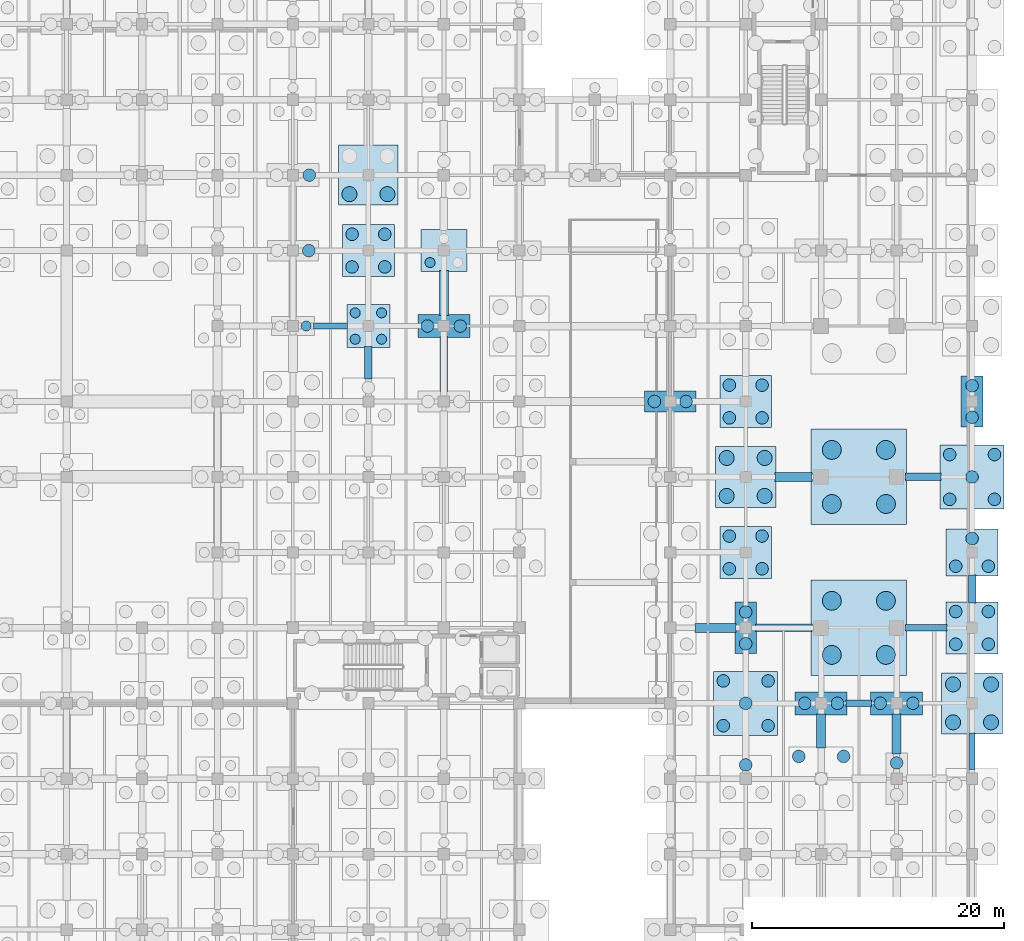
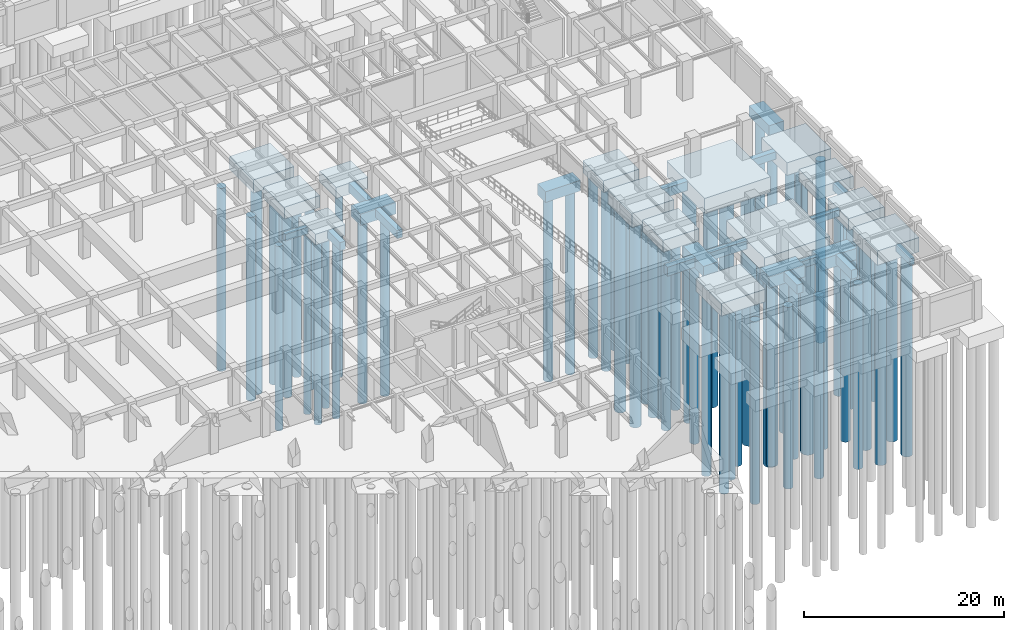
# One storey, part 19 of 54: 71 piles, 34 footings.
"""IFC4 building model written with IfcOpenShell, lengths in metres."""

from ifc_helpers import new_model, si_unit, direction, frame, origin, origin_2d, place, context, subcontext, project, spatial, rectangle, circle, extrude, material, material_profile, profile_set, type_object, element, save


model = new_model("IFC4")

# Units and contexts
model_context = context("Model", 3, precision=1e-05, world=origin(), true_north=direction((0.0, 1.0)))
body_context = subcontext(model_context, "Body", "Model", "MODEL_VIEW")
ifc_project = project(units=[si_unit("LENGTHUNIT", "METRE"), si_unit("AREAUNIT", "SQUARE_METRE"), si_unit("VOLUMEUNIT", "CUBIC_METRE"), si_unit("PLANEANGLEUNIT", "RADIAN"), si_unit("MASSUNIT", "GRAM", prefix="KILO"), si_unit("THERMODYNAMICTEMPERATUREUNIT", "KELVIN"), si_unit("POWERUNIT", "WATT")], contexts=[model_context])

# Site, building, storey
site_placement = place(None, origin())
site = spatial("IfcSite", under=ifc_project, at=site_placement, CompositionType="ELEMENT")
building_placement = place(site_placement, origin())
building = spatial("IfcBuilding", under=site, at=building_placement, Name="Phaisarnlok Congress Hotel", CompositionType="ELEMENT")
storey_placement = place(building_placement, frame((0.0, 0.0, -4.800048828125)))
storey = spatial("IfcBuildingStorey", under=building, at=storey_placement, Name="B01", CompositionType="ELEMENT", Elevation=-4.800048828125)

# Footings
ifc_material_1 = material(Name="Concrete C40/50", Category="concrete")
footing_type_1 = type_object("IfcFootingType", Name="CAP-2P-B", PredefinedType="PILE_CAP", material=ifc_material_1)
footing_1_placement = place(storey_placement, frame((156.0, 60.0, -1.7998046875), z_axis=(0.0, 0.0, 1.0), x_axis=(1.0, 0.0, 0.0)))
element("IfcFooting", 1, at=footing_1_placement, inside=storey, type_object=footing_type_1, Name="Pile cap PC-02 at (156,60)", PredefinedType="PILE_CAP", context=body_context, shape_type="SweptSolid", body=[
    extrude(rectangle(XDim=4.080078125, YDim=1.639892578125, at=origin_2d()), origin(), (0.0, 0.0, 1.0), 1.300048828125),
])
footing_type_2 = type_object("IfcFootingType", Name="CAP-2P-C", PredefinedType="PILE_CAP", material=ifc_material_1)
for number, where, z_axis, x_axis, name in (
    (2, (138.0, 66.0, -1.89990234375), (0.0, 0.0, 1.0), (1.0, 0.0, 0.0), "Pile cap PC-03 at (138,66)"),
    (3, (168.0, 36.0, -1.89990234375), (0.0, 0.0, 1.0), (1.0, 0.0, 0.0), "Pile cap PC-03 at (168,36)"),
    (4, (174.0, 36.0, -1.89990234375), (0.0, 0.0, 1.0), (1.0, 0.0, 0.0), "Pile cap PC-03 at (174,36)"),
):
    element("IfcFooting", number, at=place(storey_placement, frame(where, z_axis=z_axis, x_axis=x_axis)), inside=storey, type_object=footing_type_2, Name=name, PredefinedType="PILE_CAP", context=body_context, shape_type="SweptSolid", body=[
        extrude(rectangle(XDim=4.1201171875, YDim=1.840087890625, at=origin_2d()), origin(), (0.0, 0.0, 1.0), 1.39990234375),
    ])
footing_type_3 = type_object("IfcFootingType", Name="CAP-2P-D", PredefinedType="PILE_CAP", material=ifc_material_1)
for number, where, z_axis, x_axis, name in (
    (5, (162.0, 42.0, -1.75), (0.0, 0.0, 1.0), (1.0, 0.0, 0.0), "Pile cap PC-14 at (162,42)"),
    (6, (180.0, 60.0, -1.75), (0.0, 0.0, 1.0), (1.0, 0.0, 0.0), "Pile cap PC-14 at (180,60)"),
):
    element("IfcFooting", number, at=place(storey_placement, frame(where, z_axis=z_axis, x_axis=x_axis)), inside=storey, type_object=footing_type_3, Name=name, PredefinedType="PILE_CAP", context=body_context, shape_type="SweptSolid", body=[
        extrude(rectangle(XDim=1.719970703125, YDim=4.080078125, at=origin_2d()), origin(), (0.0, 0.0, 1.0), 1.25),
    ])
footing_type_4 = type_object("IfcFootingType", Name="CAP-3P-A", PredefinedType="PILE_CAP", material=ifc_material_1)
footing_2_placement = place(storey_placement, frame((138.0, 72.0, -1.85009765625), z_axis=(0.0, 0.0, 1.0), x_axis=(1.0, 0.0, 0.0)))
element("IfcFooting", 7, at=footing_2_placement, inside=storey, type_object=footing_type_4, Name="Pile cap PC-04 at (138,72)", PredefinedType="PILE_CAP", context=body_context, shape_type="SweptSolid", body=[
    extrude(rectangle(XDim=3.639892578125, YDim=3.340087890625, at=origin_2d()), origin(), (0.0, 0.0, 1.0), 1.35009765625),
])
footing_type_5 = type_object("IfcFootingType", Name="CAP-3P-B", PredefinedType="PILE_CAP", material=ifc_material_1)
footing_3_placement = place(storey_placement, frame((180.0, 48.0, -1.94970703125), z_axis=(0.0, 0.0, 1.0), x_axis=(1.0, 0.0, 0.0)))
element("IfcFooting", 8, at=footing_3_placement, inside=storey, type_object=footing_type_5, Name="Pile cap PC-05 at (180,48)", PredefinedType="PILE_CAP", context=body_context, shape_type="SweptSolid", body=[
    extrude(rectangle(XDim=4.1201171875, YDim=3.739990234375, at=origin_2d()), origin(), (0.0, 0.0, 1.0), 1.449951171875),
])
footing_type_6 = type_object("IfcFootingType", Name="CAP-4P-A", PredefinedType="PILE_CAP", material=ifc_material_1)
footing_4_placement = place(storey_placement, frame((132.0, 66.0, -1.7998046875), z_axis=(0.0, 0.0, 1.0), x_axis=(1.0, 0.0, 0.0)))
element("IfcFooting", 9, at=footing_4_placement, inside=storey, type_object=footing_type_6, Name="Pile cap PC-06 at (132,66)", PredefinedType="PILE_CAP", context=body_context, shape_type="SweptSolid", body=[
    extrude(rectangle(XDim=3.43994140625, YDim=3.43994140625, at=origin_2d()), origin(), (0.0, 0.0, 1.0), 1.300048828125),
])
footing_type_7 = type_object("IfcFootingType", Name="CAP-4P-B", PredefinedType="PILE_CAP", material=ifc_material_1)
for number, where, z_axis, x_axis, name in (
    (10, (132.0, 72.0, -1.94970703125), (0.0, 0.0, 1.0), (1.0, 0.0, 0.0), "Pile cap PC-07 at (132,72)"),
    (11, (162.0, 48.0, -1.94970703125), (0.0, 0.0, 1.0), (1.0, 0.0, 0.0), "Pile cap PC-07 at (162,48)"),
    (12, (162.0, 60.0, -1.94970703125), (0.0, 0.0, 1.0), (1.0, 0.0, 0.0), "Pile cap PC-07 at (162,60)"),
    (13, (180.0, 42.0, -1.94970703125), (0.0, 0.0, 1.0), (1.0, 0.0, 0.0), "Pile cap PC-07 at (180,42)"),
):
    element("IfcFooting", number, at=place(storey_placement, frame(where, z_axis=z_axis, x_axis=x_axis)), inside=storey, type_object=footing_type_7, Name=name, PredefinedType="PILE_CAP", context=body_context, shape_type="SweptSolid", body=[
        extrude(rectangle(XDim=4.1201171875, YDim=4.1201171875, at=origin_2d()), origin(), (0.0, 0.0, 1.0), 1.449951171875),
    ])
footing_type_8 = type_object("IfcFootingType", Name="CAP-4P-C", PredefinedType="PILE_CAP", material=ifc_material_1)
footing_5_placement = place(storey_placement, frame((132.0, 78.0, -2.10009765625), z_axis=(0.0, 0.0, 1.0), x_axis=(1.0, 0.0, 0.0)))
element("IfcFooting", 14, at=footing_5_placement, inside=storey, type_object=footing_type_8, Name="Pile cap PC-08 at (132,78)", PredefinedType="PILE_CAP", context=body_context, shape_type="SweptSolid", body=[
    extrude(rectangle(XDim=4.719970703125, YDim=4.760009765625, at=origin_2d()), origin(), (0.0, 0.0, 1.0), 1.60009765625),
])
footing_type_9 = type_object("IfcFootingType", Name="CAP-4P-D", PredefinedType="PILE_CAP", material=ifc_material_1)
for number, where, z_axis, x_axis, name in (
    (15, (162.0, 54.0, -2.25), (0.0, 0.0, 1.0), (1.0, 0.0, 0.0), "Pile cap PC-09 at (162,54)"),
    (16, (180.0, 36.0, -2.25), (0.0, 0.0, 1.0), (1.0, 0.0, 0.0), "Pile cap PC-09 at (180,36)"),
):
    element("IfcFooting", number, at=place(storey_placement, frame(where, z_axis=z_axis, x_axis=x_axis)), inside=storey, type_object=footing_type_9, Name=name, PredefinedType="PILE_CAP", context=body_context, shape_type="SweptSolid", body=[
        extrude(rectangle(XDim=4.840087890625, YDim=4.840087890625, at=origin_2d()), origin(), (0.0, 0.0, 1.0), 1.75),
    ])
footing_type_10 = type_object("IfcFootingType", Name="CAP-4P-E", PredefinedType="PILE_CAP", material=ifc_material_1)
for number, where, z_axis, x_axis, name in (
    (17, (171.0, 42.0, -2.39990234375), (0.0, 0.0, 1.0), (1.0, 0.0, 0.0), "Combined pile cap PC-10 at (171,42)"),
    (18, (171.0, 54.0, -2.39990234375), (0.0, 0.0, 1.0), (1.0, 0.0, 0.0), "Combined pile cap PC-10 at (171,54)"),
):
    element("IfcFooting", number, at=place(storey_placement, frame(where, z_axis=z_axis, x_axis=x_axis)), inside=storey, type_object=footing_type_10, Name=name, PredefinedType="PILE_CAP", context=body_context, shape_type="SweptSolid", body=[
        extrude(rectangle(XDim=7.60009765625, YDim=7.60009765625, at=origin_2d()), origin(), (0.0, 0.0, 1.0), 1.89990234375),
    ])
footing_type_11 = type_object("IfcFootingType", Name="CAP-5P-A", PredefinedType="PILE_CAP", material=ifc_material_1)
for number, where, z_axis, x_axis, name in (
    (19, (162.0, 36.0, -2.0498046875), (0.0, 0.0, 1.0), (1.0, 0.0, 0.0), "Pile cap PC-13 at (162,36)"),
    (20, (180.0, 54.0, -2.0498046875), (0.0, 0.0, 1.0), (1.0, 0.0, 0.0), "Pile cap PC-13 at (180,54)"),
):
    element("IfcFooting", number, at=place(storey_placement, frame(where, z_axis=z_axis, x_axis=x_axis)), inside=storey, type_object=footing_type_11, Name=name, PredefinedType="PILE_CAP", context=body_context, shape_type="SweptSolid", body=[
        extrude(rectangle(XDim=5.080078125, YDim=5.080078125, at=origin_2d()), origin(), (0.0, 0.0, 1.0), 1.550048828125),
    ])
ifc_material_profile_1 = material_profile(ifc_material_1, rectangle(XDim=0.5, YDim=0.800048828125, at=origin_2d()), Name="FB-500x800")
ifc_profile_set_1 = profile_set([ifc_material_profile_1], Name="Concrete C40/50")
footing_type_12 = type_object("IfcFootingType", Name="FB-500x800", PredefinedType="FOOTING_BEAM", material=ifc_profile_set_1)
footing_6_placement = place(storey_placement, frame((127.64501953125, 66.0, -0.89990234375), z_axis=(1.0, 0.0, 0.0), x_axis=(0.0, 1.0, 0.0)))
element("IfcFooting", 21, at=footing_6_placement, inside=storey, type_object=footing_type_12, Name="Ground tie beam FB-01", PredefinedType="FOOTING_BEAM", context=body_context, shape_type="SweptSolid", body=[
    extrude(rectangle(XDim=0.5, YDim=0.800048828125, at=origin_2d()), origin(), (0.0, 0.0, 1.0), 2.7099609375),
])
footing_7_placement = place(storey_placement, frame((169.985107421875, 36.0, -0.89990234375), z_axis=(1.0, 0.0, 0.0), x_axis=(0.0, 1.0, 0.0)))
element("IfcFooting", 22, at=footing_7_placement, inside=storey, type_object=footing_type_12, Name="Ground tie beam FB-01", PredefinedType="FOOTING_BEAM", context=body_context, shape_type="SweptSolid", body=[
    extrude(rectangle(XDim=0.5, YDim=0.800048828125, at=origin_2d()), origin(), (0.0, 0.0, 1.0), 2.02978515625),
])
footing_8_placement = place(storey_placement, frame((174.72509765625, 42.0, -0.89990234375), z_axis=(1.0, 0.0, 0.0), x_axis=(0.0, 1.0, 0.0)))
element("IfcFooting", 23, at=footing_8_placement, inside=storey, type_object=footing_type_12, Name="Ground tie beam FB-01", PredefinedType="FOOTING_BEAM", context=body_context, shape_type="SweptSolid", body=[
    extrude(rectangle(XDim=0.5, YDim=0.800048828125, at=origin_2d()), origin(), (0.0, 0.0, 1.0), 3.289794921875),
])
footing_9_placement = place(storey_placement, frame((180.0, 30.7451171875, -0.89990234375), z_axis=(0.0, 1.0, 0.0), x_axis=(-1.0, 0.0, 0.0)))
element("IfcFooting", 24, at=footing_9_placement, inside=storey, type_object=footing_type_12, Name="Ground tie beam FB-01", PredefinedType="FOOTING_BEAM", context=body_context, shape_type="SweptSolid", body=[
    extrude(rectangle(XDim=0.5, YDim=0.800048828125, at=origin_2d()), origin(), (0.0, 0.0, 1.0), 2.909912109375),
])
ifc_material_profile_2 = material_profile(ifc_material_1, rectangle(XDim=0.60009765625, YDim=1.0, at=origin_2d()), Name="FB-600x1000")
ifc_profile_set_2 = profile_set([ifc_material_profile_2], Name="Concrete C40/50")
footing_type_13 = type_object("IfcFootingType", Name="FB-600x1000", PredefinedType="FOOTING_BEAM", material=ifc_profile_set_2)
footing_10_placement = place(storey_placement, frame((132.0, 61.794921875, -1.0), z_axis=(0.0, 1.0, 0.0), x_axis=(-1.0, 0.0, 0.0)))
element("IfcFooting", 25, at=footing_10_placement, inside=storey, type_object=footing_type_13, Name="Ground tie beam FB-03", PredefinedType="FOOTING_BEAM", context=body_context, shape_type="SweptSolid", body=[
    extrude(rectangle(XDim=0.60009765625, YDim=1.0, at=origin_2d()), origin(), (0.0, 0.0, 1.0), 2.56005859375),
])
footing_11_placement = place(storey_placement, frame((138.0, 60.7451171875, -1.0), z_axis=(0.0, 1.0, 0.0), x_axis=(-1.0, 0.0, 0.0)))
element("IfcFooting", 26, at=footing_11_placement, inside=storey, type_object=footing_type_13, Name="Ground tie beam FB-03", PredefinedType="FOOTING_BEAM", context=body_context, shape_type="SweptSolid", body=[
    extrude(rectangle(XDim=0.60009765625, YDim=1.0, at=origin_2d()), origin(), (0.0, 0.0, 1.0), 4.409912109375),
])
footing_12_placement = place(storey_placement, frame((162.784912109375, 42.0, -1.0), z_axis=(1.0, 0.0, 0.0), x_axis=(0.0, 1.0, 0.0)))
element("IfcFooting", 27, at=footing_12_placement, inside=storey, type_object=footing_type_13, Name="Ground tie beam FB-03", PredefinedType="FOOTING_BEAM", context=body_context, shape_type="SweptSolid", body=[
    extrude(rectangle(XDim=0.60009765625, YDim=1.0, at=origin_2d()), origin(), (0.0, 0.0, 1.0), 4.489990234375),
])
ifc_material_profile_3 = material_profile(ifc_material_1, rectangle(XDim=0.60009765625, YDim=0.89990234375, at=origin_2d()), Name="FB-600x900")
ifc_profile_set_3 = profile_set([ifc_material_profile_3], Name="Concrete C40/50")
footing_type_14 = type_object("IfcFootingType", Name="FB-600x900", PredefinedType="FOOTING_BEAM", material=ifc_profile_set_3)
footing_13_placement = place(storey_placement, frame((174.72509765625, 54.0, -0.949951171875), z_axis=(1.0, 0.0, 0.0), x_axis=(0.0, 1.0, 0.0)))
element("IfcFooting", 28, at=footing_13_placement, inside=storey, type_object=footing_type_14, Name="Ground tie beam FB-02", PredefinedType="FOOTING_BEAM", context=body_context, shape_type="SweptSolid", body=[
    extrude(rectangle(XDim=0.60009765625, YDim=0.89990234375, at=origin_2d()), origin(), (0.0, 0.0, 1.0), 2.809814453125),
])
footing_14_placement = place(storey_placement, frame((180.0, 43.985107421875, -0.949951171875), z_axis=(0.0, 1.0, 0.0), x_axis=(-1.0, 0.0, 0.0)))
element("IfcFooting", 29, at=footing_14_placement, inside=storey, type_object=footing_type_14, Name="Ground tie beam FB-02", PredefinedType="FOOTING_BEAM", context=body_context, shape_type="SweptSolid", body=[
    extrude(rectangle(XDim=0.60009765625, YDim=0.89990234375, at=origin_2d()), origin(), (0.0, 0.0, 1.0), 2.219970703125),
])
ifc_material_profile_4 = material_profile(ifc_material_1, rectangle(XDim=0.699951171875, YDim=1.10009765625, at=origin_2d()), Name="FB-700x1100")
ifc_profile_set_4 = profile_set([ifc_material_profile_4], Name="Concrete C40/50")
footing_type_15 = type_object("IfcFootingType", Name="FB-700x1100", PredefinedType="FOOTING_BEAM", material=ifc_profile_set_4)
footing_15_placement = place(storey_placement, frame((138.0, 66.844970703125, -1.050048828125), z_axis=(0.0, 1.0, 0.0), x_axis=(-1.0, 0.0, 0.0)))
element("IfcFooting", 30, at=footing_15_placement, inside=storey, type_object=footing_type_15, Name="Ground tie beam FB-04", PredefinedType="FOOTING_BEAM", context=body_context, shape_type="SweptSolid", body=[
    extrude(rectangle(XDim=0.699951171875, YDim=1.10009765625, at=origin_2d()), origin(), (0.0, 0.0, 1.0), 3.56005859375),
])
footing_16_placement = place(storey_placement, frame((157.985107421875, 42.0, -1.050048828125), z_axis=(1.0, 0.0, 0.0), x_axis=(0.0, 1.0, 0.0)))
element("IfcFooting", 31, at=footing_16_placement, inside=storey, type_object=footing_type_15, Name="Ground tie beam FB-04", PredefinedType="FOOTING_BEAM", context=body_context, shape_type="SweptSolid", body=[
    extrude(rectangle(XDim=0.699951171875, YDim=1.10009765625, at=origin_2d()), origin(), (0.0, 0.0, 1.0), 3.22998046875),
])
footing_17_placement = place(storey_placement, frame((164.344970703125, 54.0, -1.050048828125), z_axis=(1.0, 0.0, 0.0), x_axis=(0.0, 1.0, 0.0)))
element("IfcFooting", 32, at=footing_17_placement, inside=storey, type_object=footing_type_15, Name="Ground tie beam FB-04", PredefinedType="FOOTING_BEAM", context=body_context, shape_type="SweptSolid", body=[
    extrude(rectangle(XDim=0.699951171875, YDim=1.10009765625, at=origin_2d()), origin(), (0.0, 0.0, 1.0), 2.929931640625),
])
footing_18_placement = place(storey_placement, frame((168.0, 32.465087890625, -1.050048828125), z_axis=(0.0, 1.0, 0.0), x_axis=(-1.0, 0.0, 0.0)))
element("IfcFooting", 33, at=footing_18_placement, inside=storey, type_object=footing_type_15, Name="Ground tie beam FB-04", PredefinedType="FOOTING_BEAM", context=body_context, shape_type="SweptSolid", body=[
    extrude(rectangle(XDim=0.699951171875, YDim=1.10009765625, at=origin_2d()), origin(), (0.0, 0.0, 1.0), 2.68994140625),
])
footing_19_placement = place(storey_placement, frame((174.0, 31.965087890625, -1.050048828125), z_axis=(0.0, 1.0, 0.0), x_axis=(-1.0, 0.0, 0.0)))
element("IfcFooting", 34, at=footing_19_placement, inside=storey, type_object=footing_type_15, Name="Ground tie beam FB-04", PredefinedType="FOOTING_BEAM", context=body_context, shape_type="SweptSolid", body=[
    extrude(rectangle(XDim=0.699951171875, YDim=1.10009765625, at=origin_2d()), origin(), (0.0, 0.0, 1.0), 3.18994140625),
])

# Piles
ifc_material_2 = material(Name="Concrete C35/45", Category="concrete")
ifc_material_profile_5 = material_profile(ifc_material_2, circle(Radius=0.5, at=origin_2d()), Name="BORED PILE D1000")
ifc_profile_set_5 = profile_set([ifc_material_profile_5], Name="Concrete C35/45")
pile_type_1 = type_object("IfcPileType", Name="PILE-D1000", PredefinedType="BORED", material=ifc_profile_set_5)
pile_1_placement = place(storey_placement, frame((127.260009765625, 72.0, -1.699951171875), z_axis=(0.0, 0.0, -1.0), x_axis=(1.0, 0.0, 0.0)))
element("IfcPile", 35, at=pile_1_placement, inside=storey, type_object=pile_type_1, Name="Bored pile PL-02 (FTG-B01-126-072-2)", PredefinedType="BORED", context=body_context, shape_type="SweptSolid", body=[
    extrude(circle(Radius=0.5, at=origin_2d()), origin(), (0.0, 0.0, 1.0), 22.5),
])
pile_2_placement = place(storey_placement, frame((127.300048828125, 78.0, -1.800048828125), z_axis=(0.0, 0.0, -1.0), x_axis=(1.0, 0.0, 0.0)))
element("IfcPile", 36, at=pile_2_placement, inside=storey, type_object=pile_type_1, Name="Bored pile PL-02 (FTG-B01-126-078-2)", PredefinedType="BORED", context=body_context, shape_type="SweptSolid", body=[
    extrude(circle(Radius=0.5, at=origin_2d()), origin(), (0.0, 0.0, 1.0), 22.39990234375),
])
for number, where, z_axis, x_axis, name in (
    (37, (130.699951171875, 70.699951171875, -1.849853515625), (0.0, 0.0, -1.0), (1.0, 0.0, 0.0), "Bored pile PL-02 (FTG-B01-132-072-1)"),
    (38, (133.300048828125, 70.699951171875, -1.849853515625), (0.0, 0.0, -1.0), (1.0, 0.0, 0.0), "Bored pile PL-02 (FTG-B01-132-072-2)"),
    (39, (130.699951171875, 73.300048828125, -1.849853515625), (0.0, 0.0, -1.0), (1.0, 0.0, 0.0), "Bored pile PL-02 (FTG-B01-132-072-3)"),
    (40, (133.300048828125, 73.300048828125, -1.849853515625), (0.0, 0.0, -1.0), (1.0, 0.0, 0.0), "Bored pile PL-02 (FTG-B01-132-072-4)"),
):
    element("IfcPile", number, at=place(storey_placement, frame(where, z_axis=z_axis, x_axis=x_axis)), inside=storey, type_object=pile_type_1, Name=name, PredefinedType="BORED", context=body_context, shape_type="SweptSolid", body=[
        extrude(circle(Radius=0.5, at=origin_2d()), origin(), (0.0, 0.0, 1.0), 22.35009765625),
    ])
for number, where, z_axis, x_axis, name in (
    (41, (136.699951171875, 66.0, -1.800048828125), (0.0, 0.0, -1.0), (1.0, 0.0, 0.0), "Bored pile PL-02 (FTG-B01-138-066-1)"),
    (42, (139.300048828125, 66.0, -1.800048828125), (0.0, 0.0, -1.0), (1.0, 0.0, 0.0), "Bored pile PL-02 (FTG-B01-138-066-2)"),
):
    element("IfcPile", number, at=place(storey_placement, frame(where, z_axis=z_axis, x_axis=x_axis)), inside=storey, type_object=pile_type_1, Name=name, PredefinedType="BORED", context=body_context, shape_type="SweptSolid", body=[
        extrude(circle(Radius=0.5, at=origin_2d()), origin(), (0.0, 0.0, 1.0), 22.39990234375),
    ])
for number, where, z_axis, x_axis, name in (
    (43, (154.739990234375, 60.0, -1.699951171875), (0.0, 0.0, -1.0), (1.0, 0.0, 0.0), "Bored pile PL-02 (FTG-B01-156-060-1)"),
    (44, (157.260009765625, 60.0, -1.699951171875), (0.0, 0.0, -1.0), (1.0, 0.0, 0.0), "Bored pile PL-02 (FTG-B01-156-060-2)"),
):
    element("IfcPile", number, at=place(storey_placement, frame(where, z_axis=z_axis, x_axis=x_axis)), inside=storey, type_object=pile_type_1, Name=name, PredefinedType="BORED", context=body_context, shape_type="SweptSolid", body=[
        extrude(circle(Radius=0.5, at=origin_2d()), origin(), (0.0, 0.0, 1.0), 22.5),
    ])
pile_3_placement = place(storey_placement, frame((162.0, 31.10009765625, -1.849853515625), z_axis=(0.0, 0.0, -1.0), x_axis=(1.0, 0.0, 0.0)))
element("IfcPile", 45, at=pile_3_placement, inside=storey, type_object=pile_type_1, Name="Bored pile PL-02 (FTG-B01-162-030-3)", PredefinedType="BORED", context=body_context, shape_type="SweptSolid", body=[
    extrude(circle(Radius=0.5, at=origin_2d()), origin(), (0.0, 0.0, 1.0), 22.35009765625),
])
for number, where, z_axis, x_axis, name in (
    (46, (160.219970703125, 34.219970703125, -1.949951171875), (0.0, 0.0, -1.0), (1.0, 0.0, 0.0), "Bored pile PL-02 (FTG-B01-162-036-1)"),
    (47, (163.780029296875, 34.219970703125, -1.949951171875), (0.0, 0.0, -1.0), (1.0, 0.0, 0.0), "Bored pile PL-02 (FTG-B01-162-036-2)"),
    (48, (162.0, 36.0, -1.949951171875), (0.0, 0.0, -1.0), (1.0, 0.0, 0.0), "Bored pile PL-02 (FTG-B01-162-036-3)"),
    (49, (160.219970703125, 37.780029296875, -1.949951171875), (0.0, 0.0, -1.0), (1.0, 0.0, 0.0), "Bored pile PL-02 (FTG-B01-162-036-4)"),
    (50, (163.780029296875, 37.780029296875, -1.949951171875), (0.0, 0.0, -1.0), (1.0, 0.0, 0.0), "Bored pile PL-02 (FTG-B01-162-036-5)"),
):
    element("IfcPile", number, at=place(storey_placement, frame(where, z_axis=z_axis, x_axis=x_axis)), inside=storey, type_object=pile_type_1, Name=name, PredefinedType="BORED", context=body_context, shape_type="SweptSolid", body=[
        extrude(circle(Radius=0.5, at=origin_2d()), origin(), (0.0, 0.0, 1.0), 22.25),
    ])
for number, where, z_axis, x_axis, name in (
    (51, (162.0, 40.739990234375, -1.64990234375), (0.0, 0.0, -1.0), (1.0, 0.0, 0.0), "Bored pile PL-02 (FTG-B01-162-042-1)"),
    (52, (162.0, 43.260009765625, -1.64990234375), (0.0, 0.0, -1.0), (1.0, 0.0, 0.0), "Bored pile PL-02 (FTG-B01-162-042-2)"),
):
    element("IfcPile", number, at=place(storey_placement, frame(where, z_axis=z_axis, x_axis=x_axis)), inside=storey, type_object=pile_type_1, Name=name, PredefinedType="BORED", context=body_context, shape_type="SweptSolid", body=[
        extrude(circle(Radius=0.5, at=origin_2d()), origin(), (0.0, 0.0, 1.0), 22.550048828125),
    ])
for number, where, z_axis, x_axis, name in (
    (53, (160.699951171875, 46.699951171875, -1.849853515625), (0.0, 0.0, -1.0), (1.0, 0.0, 0.0), "Bored pile PL-02 (FTG-B01-162-048-1)"),
    (54, (163.300048828125, 46.699951171875, -1.849853515625), (0.0, 0.0, -1.0), (1.0, 0.0, 0.0), "Bored pile PL-02 (FTG-B01-162-048-2)"),
    (55, (160.699951171875, 49.300048828125, -1.849853515625), (0.0, 0.0, -1.0), (1.0, 0.0, 0.0), "Bored pile PL-02 (FTG-B01-162-048-3)"),
    (56, (163.300048828125, 49.300048828125, -1.849853515625), (0.0, 0.0, -1.0), (1.0, 0.0, 0.0), "Bored pile PL-02 (FTG-B01-162-048-4)"),
    (57, (160.699951171875, 58.699951171875, -1.849853515625), (0.0, 0.0, -1.0), (1.0, 0.0, 0.0), "Bored pile PL-02 (FTG-B01-162-060-1)"),
    (58, (163.300048828125, 58.699951171875, -1.849853515625), (0.0, 0.0, -1.0), (1.0, 0.0, 0.0), "Bored pile PL-02 (FTG-B01-162-060-2)"),
    (59, (160.699951171875, 61.300048828125, -1.849853515625), (0.0, 0.0, -1.0), (1.0, 0.0, 0.0), "Bored pile PL-02 (FTG-B01-162-060-3)"),
    (60, (163.300048828125, 61.300048828125, -1.849853515625), (0.0, 0.0, -1.0), (1.0, 0.0, 0.0), "Bored pile PL-02 (FTG-B01-162-060-4)"),
):
    element("IfcPile", number, at=place(storey_placement, frame(where, z_axis=z_axis, x_axis=x_axis)), inside=storey, type_object=pile_type_1, Name=name, PredefinedType="BORED", context=body_context, shape_type="SweptSolid", body=[
        extrude(circle(Radius=0.5, at=origin_2d()), origin(), (0.0, 0.0, 1.0), 22.35009765625),
    ])
for number, where, z_axis, x_axis, name in (
    (61, (166.219970703125, 31.780029296875, -1.949951171875), (0.0, 0.0, -1.0), (1.0, 0.0, 0.0), "Bored pile PL-02 (FTG-B01-168-030-4)"),
    (62, (169.780029296875, 31.780029296875, -1.949951171875), (0.0, 0.0, -1.0), (1.0, 0.0, 0.0), "Bored pile PL-02 (FTG-B01-168-030-5)"),
):
    element("IfcPile", number, at=place(storey_placement, frame(where, z_axis=z_axis, x_axis=x_axis)), inside=storey, type_object=pile_type_1, Name=name, PredefinedType="BORED", context=body_context, shape_type="SweptSolid", body=[
        extrude(circle(Radius=0.5, at=origin_2d()), origin(), (0.0, 0.0, 1.0), 22.25),
    ])
for number, where, z_axis, x_axis, name in (
    (63, (166.699951171875, 36.0, -1.800048828125), (0.0, 0.0, -1.0), (1.0, 0.0, 0.0), "Bored pile PL-02 (FTG-B01-168-036-1)"),
    (64, (169.300048828125, 36.0, -1.800048828125), (0.0, 0.0, -1.0), (1.0, 0.0, 0.0), "Bored pile PL-02 (FTG-B01-168-036-2)"),
):
    element("IfcPile", number, at=place(storey_placement, frame(where, z_axis=z_axis, x_axis=x_axis)), inside=storey, type_object=pile_type_1, Name=name, PredefinedType="BORED", context=body_context, shape_type="SweptSolid", body=[
        extrude(circle(Radius=0.5, at=origin_2d()), origin(), (0.0, 0.0, 1.0), 22.39990234375),
    ])
pile_4_placement = place(storey_placement, frame((174.0, 31.260009765625, -1.64990234375), z_axis=(0.0, 0.0, -1.0), x_axis=(1.0, 0.0, 0.0)))
element("IfcPile", 65, at=pile_4_placement, inside=storey, type_object=pile_type_1, Name="Bored pile PL-02 (FTG-B01-174-030-2)", PredefinedType="BORED", context=body_context, shape_type="SweptSolid", body=[
    extrude(circle(Radius=0.5, at=origin_2d()), origin(), (0.0, 0.0, 1.0), 22.550048828125),
])
for number, where, z_axis, x_axis, name in (
    (66, (172.699951171875, 36.0, -1.800048828125), (0.0, 0.0, -1.0), (1.0, 0.0, 0.0), "Bored pile PL-02 (FTG-B01-174-036-1)"),
    (67, (175.300048828125, 36.0, -1.800048828125), (0.0, 0.0, -1.0), (1.0, 0.0, 0.0), "Bored pile PL-02 (FTG-B01-174-036-2)"),
):
    element("IfcPile", number, at=place(storey_placement, frame(where, z_axis=z_axis, x_axis=x_axis)), inside=storey, type_object=pile_type_1, Name=name, PredefinedType="BORED", context=body_context, shape_type="SweptSolid", body=[
        extrude(circle(Radius=0.5, at=origin_2d()), origin(), (0.0, 0.0, 1.0), 22.39990234375),
    ])
for number, where, z_axis, x_axis, name in (
    (68, (178.699951171875, 40.699951171875, -1.849853515625), (0.0, 0.0, -1.0), (1.0, 0.0, 0.0), "Bored pile PL-02 (FTG-B01-180-042-1)"),
    (69, (181.300048828125, 40.699951171875, -1.849853515625), (0.0, 0.0, -1.0), (1.0, 0.0, 0.0), "Bored pile PL-02 (FTG-B01-180-042-2)"),
    (70, (178.699951171875, 43.300048828125, -1.849853515625), (0.0, 0.0, -1.0), (1.0, 0.0, 0.0), "Bored pile PL-02 (FTG-B01-180-042-3)"),
    (71, (181.300048828125, 43.300048828125, -1.849853515625), (0.0, 0.0, -1.0), (1.0, 0.0, 0.0), "Bored pile PL-02 (FTG-B01-180-042-4)"),
    (72, (178.699951171875, 46.89990234375, -1.849853515625), (0.0, 0.0, -1.0), (1.0, 0.0, 0.0), "Bored pile PL-02 (FTG-B01-180-048-1)"),
    (73, (181.300048828125, 46.89990234375, -1.849853515625), (0.0, 0.0, -1.0), (1.0, 0.0, 0.0), "Bored pile PL-02 (FTG-B01-180-048-2)"),
    (74, (180.0, 49.10009765625, -1.849853515625), (0.0, 0.0, -1.0), (1.0, 0.0, 0.0), "Bored pile PL-02 (FTG-B01-180-048-3)"),
):
    element("IfcPile", number, at=place(storey_placement, frame(where, z_axis=z_axis, x_axis=x_axis)), inside=storey, type_object=pile_type_1, Name=name, PredefinedType="BORED", context=body_context, shape_type="SweptSolid", body=[
        extrude(circle(Radius=0.5, at=origin_2d()), origin(), (0.0, 0.0, 1.0), 22.35009765625),
    ])
for number, where, z_axis, x_axis, name in (
    (75, (178.219970703125, 52.219970703125, -1.949951171875), (0.0, 0.0, -1.0), (1.0, 0.0, 0.0), "Bored pile PL-02 (FTG-B01-180-054-1)"),
    (76, (181.780029296875, 52.219970703125, -1.949951171875), (0.0, 0.0, -1.0), (1.0, 0.0, 0.0), "Bored pile PL-02 (FTG-B01-180-054-2)"),
    (77, (180.0, 54.0, -1.949951171875), (0.0, 0.0, -1.0), (1.0, 0.0, 0.0), "Bored pile PL-02 (FTG-B01-180-054-3)"),
    (78, (178.219970703125, 55.780029296875, -1.949951171875), (0.0, 0.0, -1.0), (1.0, 0.0, 0.0), "Bored pile PL-02 (FTG-B01-180-054-4)"),
    (79, (181.780029296875, 55.780029296875, -1.949951171875), (0.0, 0.0, -1.0), (1.0, 0.0, 0.0), "Bored pile PL-02 (FTG-B01-180-054-5)"),
):
    element("IfcPile", number, at=place(storey_placement, frame(where, z_axis=z_axis, x_axis=x_axis)), inside=storey, type_object=pile_type_1, Name=name, PredefinedType="BORED", context=body_context, shape_type="SweptSolid", body=[
        extrude(circle(Radius=0.5, at=origin_2d()), origin(), (0.0, 0.0, 1.0), 22.25),
    ])
for number, where, z_axis, x_axis, name in (
    (80, (180.0, 58.739990234375, -1.64990234375), (0.0, 0.0, -1.0), (1.0, 0.0, 0.0), "Bored pile PL-02 (FTG-B01-180-060-1)"),
    (81, (180.0, 61.260009765625, -1.64990234375), (0.0, 0.0, -1.0), (1.0, 0.0, 0.0), "Bored pile PL-02 (FTG-B01-180-060-2)"),
):
    element("IfcPile", number, at=place(storey_placement, frame(where, z_axis=z_axis, x_axis=x_axis)), inside=storey, type_object=pile_type_1, Name=name, PredefinedType="BORED", context=body_context, shape_type="SweptSolid", body=[
        extrude(circle(Radius=0.5, at=origin_2d()), origin(), (0.0, 0.0, 1.0), 22.550048828125),
    ])
ifc_material_profile_6 = material_profile(ifc_material_2, circle(Radius=0.60009765625, at=origin_2d()), Name="BORED PILE D1200")
ifc_profile_set_6 = profile_set([ifc_material_profile_6], Name="Concrete C35/45")
pile_type_2 = type_object("IfcPileType", Name="PILE-D1200", PredefinedType="BORED", material=ifc_profile_set_6)
for number, where, z_axis, x_axis, name in (
    (82, (130.489990234375, 76.489990234375, -2.0), (0.0, 0.0, -1.0), (1.0, 0.0, 0.0), "Bored pile PL-03 (FTG-B01-132-078-1)"),
    (83, (133.510009765625, 76.489990234375, -2.0), (0.0, 0.0, -1.0), (1.0, 0.0, 0.0), "Bored pile PL-03 (FTG-B01-132-078-2)"),
):
    element("IfcPile", number, at=place(storey_placement, frame(where, z_axis=z_axis, x_axis=x_axis)), inside=storey, type_object=pile_type_2, Name=name, PredefinedType="BORED", context=body_context, shape_type="SweptSolid", body=[
        extrude(circle(Radius=0.60009765625, at=origin_2d()), origin(), (0.0, 0.0, 1.0), 25.199951171875),
    ])
for number, where, z_axis, x_axis, name in (
    (84, (160.489990234375, 52.489990234375, -2.14990234375), (0.0, 0.0, -1.0), (1.0, 0.0, 0.0), "Bored pile PL-03 (FTG-B01-162-054-1)"),
    (85, (163.510009765625, 52.489990234375, -2.14990234375), (0.0, 0.0, -1.0), (1.0, 0.0, 0.0), "Bored pile PL-03 (FTG-B01-162-054-2)"),
    (86, (160.489990234375, 55.510009765625, -2.14990234375), (0.0, 0.0, -1.0), (1.0, 0.0, 0.0), "Bored pile PL-03 (FTG-B01-162-054-3)"),
    (87, (163.510009765625, 55.510009765625, -2.14990234375), (0.0, 0.0, -1.0), (1.0, 0.0, 0.0), "Bored pile PL-03 (FTG-B01-162-054-4)"),
    (88, (178.489990234375, 34.489990234375, -2.14990234375), (0.0, 0.0, -1.0), (1.0, 0.0, 0.0), "Bored pile PL-03 (FTG-B01-180-036-1)"),
    (89, (181.510009765625, 34.489990234375, -2.14990234375), (0.0, 0.0, -1.0), (1.0, 0.0, 0.0), "Bored pile PL-03 (FTG-B01-180-036-2)"),
    (90, (178.489990234375, 37.510009765625, -2.14990234375), (0.0, 0.0, -1.0), (1.0, 0.0, 0.0), "Bored pile PL-03 (FTG-B01-180-036-3)"),
    (91, (181.510009765625, 37.510009765625, -2.14990234375), (0.0, 0.0, -1.0), (1.0, 0.0, 0.0), "Bored pile PL-03 (FTG-B01-180-036-4)"),
):
    element("IfcPile", number, at=place(storey_placement, frame(where, z_axis=z_axis, x_axis=x_axis)), inside=storey, type_object=pile_type_2, Name=name, PredefinedType="BORED", context=body_context, shape_type="SweptSolid", body=[
        extrude(circle(Radius=0.60009765625, at=origin_2d()), origin(), (0.0, 0.0, 1.0), 25.050048828125),
    ])
ifc_material_profile_7 = material_profile(ifc_material_2, circle(Radius=0.75, at=origin_2d()), Name="BORED PILE D1500")
ifc_profile_set_7 = profile_set([ifc_material_profile_7], Name="Concrete C35/45")
pile_type_3 = type_object("IfcPileType", Name="PILE-D1500", PredefinedType="BORED", material=ifc_profile_set_7)
for number, where, z_axis, x_axis, name in (
    (92, (168.85009765625, 39.85009765625, -2.300048828125), (0.0, 0.0, -1.0), (1.0, 0.0, 0.0), "Bored pile PL-04 (FTG-B01-168-042-1)"),
    (93, (173.14990234375, 39.85009765625, -2.300048828125), (0.0, 0.0, -1.0), (1.0, 0.0, 0.0), "Bored pile PL-04 (FTG-B01-168-042-2)"),
    (94, (168.85009765625, 44.14990234375, -2.300048828125), (0.0, 0.0, -1.0), (1.0, 0.0, 0.0), "Bored pile PL-04 (FTG-B01-168-042-3)"),
    (95, (173.14990234375, 44.14990234375, -2.300048828125), (0.0, 0.0, -1.0), (1.0, 0.0, 0.0), "Bored pile PL-04 (FTG-B01-168-042-4)"),
    (96, (168.85009765625, 51.85009765625, -2.300048828125), (0.0, 0.0, -1.0), (1.0, 0.0, 0.0), "Bored pile PL-04 (FTG-B01-168-054-1)"),
    (97, (173.14990234375, 51.85009765625, -2.300048828125), (0.0, 0.0, -1.0), (1.0, 0.0, 0.0), "Bored pile PL-04 (FTG-B01-168-054-2)"),
    (98, (168.85009765625, 56.14990234375, -2.300048828125), (0.0, 0.0, -1.0), (1.0, 0.0, 0.0), "Bored pile PL-04 (FTG-B01-168-054-3)"),
    (99, (173.14990234375, 56.14990234375, -2.300048828125), (0.0, 0.0, -1.0), (1.0, 0.0, 0.0), "Bored pile PL-04 (FTG-B01-168-054-4)"),
):
    element("IfcPile", number, at=place(storey_placement, frame(where, z_axis=z_axis, x_axis=x_axis)), inside=storey, type_object=pile_type_3, Name=name, PredefinedType="BORED", context=body_context, shape_type="SweptSolid", body=[
        extrude(circle(Radius=0.75, at=origin_2d()), origin(), (0.0, 0.0, 1.0), 24.89990234375),
    ])
ifc_material_profile_8 = material_profile(ifc_material_2, circle(Radius=0.39990234375, at=origin_2d()), Name="BORED PILE D800")
ifc_profile_set_8 = profile_set([ifc_material_profile_8], Name="Concrete C35/45")
pile_type_4 = type_object("IfcPileType", Name="PILE-D800", PredefinedType="BORED", material=ifc_profile_set_8)
pile_5_placement = place(storey_placement, frame((127.050048828125, 66.0, -1.599853515625), z_axis=(0.0, 0.0, -1.0), x_axis=(1.0, 0.0, 0.0)))
element("IfcPile", 100, at=pile_5_placement, inside=storey, type_object=pile_type_4, Name="Bored pile PL-01 (FTG-B01-126-066-2)", PredefinedType="BORED", context=body_context, shape_type="SweptSolid", body=[
    extrude(circle(Radius=0.39990234375, at=origin_2d()), origin(), (0.0, 0.0, 1.0), 22.60009765625),
])
for number, where, z_axis, x_axis, name in (
    (101, (130.949951171875, 64.949951171875, -1.699951171875), (0.0, 0.0, -1.0), (1.0, 0.0, 0.0), "Bored pile PL-01 (FTG-B01-132-066-1)"),
    (102, (133.050048828125, 64.949951171875, -1.699951171875), (0.0, 0.0, -1.0), (1.0, 0.0, 0.0), "Bored pile PL-01 (FTG-B01-132-066-2)"),
    (103, (130.949951171875, 67.050048828125, -1.699951171875), (0.0, 0.0, -1.0), (1.0, 0.0, 0.0), "Bored pile PL-01 (FTG-B01-132-066-3)"),
    (104, (133.050048828125, 67.050048828125, -1.699951171875), (0.0, 0.0, -1.0), (1.0, 0.0, 0.0), "Bored pile PL-01 (FTG-B01-132-066-4)"),
):
    element("IfcPile", number, at=place(storey_placement, frame(where, z_axis=z_axis, x_axis=x_axis)), inside=storey, type_object=pile_type_4, Name=name, PredefinedType="BORED", context=body_context, shape_type="SweptSolid", body=[
        extrude(circle(Radius=0.39990234375, at=origin_2d()), origin(), (0.0, 0.0, 1.0), 22.5),
    ])
pile_6_placement = place(storey_placement, frame((136.89990234375, 71.050048828125, -1.75), z_axis=(0.0, 0.0, -1.0), x_axis=(1.0, 0.0, 0.0)))
element("IfcPile", 105, at=pile_6_placement, inside=storey, type_object=pile_type_4, Name="Bored pile PL-01 (FTG-B01-138-072-1)", PredefinedType="BORED", context=body_context, shape_type="SweptSolid", body=[
    extrude(circle(Radius=0.39990234375, at=origin_2d()), origin(), (0.0, 0.0, 1.0), 22.449951171875),
])

save(model, "model.ifc")
